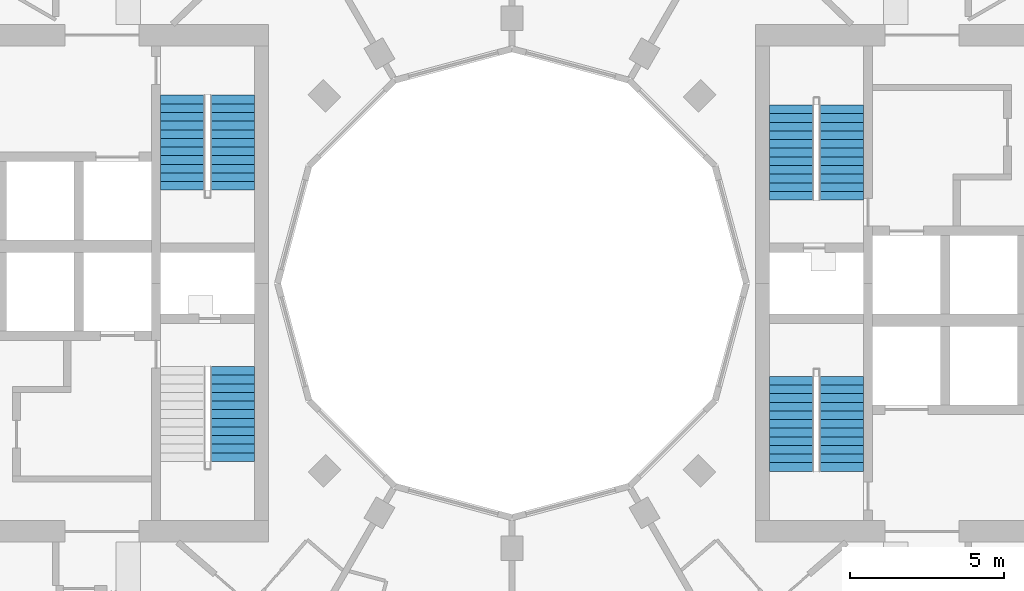
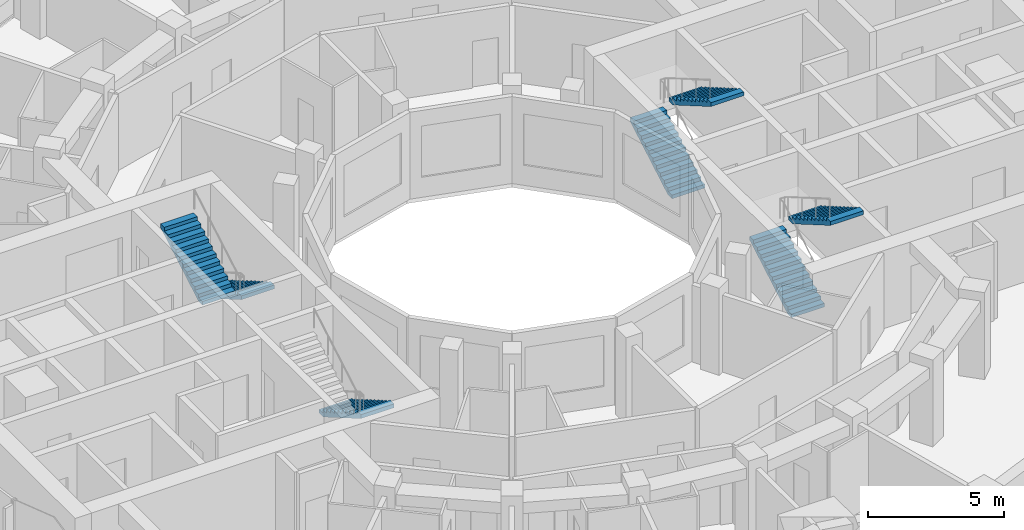
# One storey, part 13 of 15: 7 stair flights, 4 elements without a shape of their own.
"""IFC4 building model written with IfcOpenShell, lengths in metres."""

from ifc_helpers import new_model, si_unit, direction, frame, origin, place, context, subcontext, project, spatial, polyline, outline, extrude, material, layer, layer_set, type_object, element, aggregate, save


model = new_model("IFC4")

# Units and contexts
model_context = context("Model", 3, precision=1e-05, world=origin(), true_north=direction((0.0, 1.0)))
body_context = subcontext(model_context, "Body", "Model", "MODEL_VIEW")
ifc_project = project(units=[si_unit("LENGTHUNIT", "METRE"), si_unit("AREAUNIT", "SQUARE_METRE"), si_unit("VOLUMEUNIT", "CUBIC_METRE"), si_unit("PLANEANGLEUNIT", "RADIAN"), si_unit("MASSUNIT", "GRAM", prefix="KILO")], contexts=[model_context])

# Site, building, storey
site_placement = place(None, origin())
site = spatial("IfcSite", under=ifc_project, at=site_placement, CompositionType="ELEMENT")
building_placement = place(site_placement, origin())
building = spatial("IfcBuilding", under=site, at=building_placement, Name="Torre Brocal", CompositionType="ELEMENT")
storey_placement = place(building_placement, frame((0.0, 0.0, 145.800048828125)))
storey = spatial("IfcBuildingStorey", under=building, at=storey_placement, Name="L34", CompositionType="ELEMENT", Elevation=145.800048828125)

# Stair, stair flights
ifc_material_1 = material(Name="Concrete C50", Category="concrete")
stair_type = type_object("IfcStairType", Name="EXIT STAIR", PredefinedType="HALF_TURN_STAIR", material=ifc_material_1)
stair_1_placement = place(storey_placement, origin())
stair_1 = element("IfcStair", 1, at=stair_1_placement, inside=storey, type_object=stair_type, Name="EXIT STAIR ST1", PredefinedType="HALF_TURN_STAIR")
ifc_material_2 = material(Name="Concrete C50", Category="concrete")
ifc_layer = layer(ifc_material_2, 0.14990234375)
ifc_layer_set = layer_set([ifc_layer], Name="Concrete C50")
stair_flight_type = type_object("IfcStairFlightType", Name="STAIR FLIGHT", PredefinedType="STRAIGHT", material=ifc_layer_set)
stair_flight_1_placement = place(storey_placement, frame((89.050048828125, 77.699951171875, 0.0), z_axis=(0.0, 0.0, 1.0), x_axis=(0.0, 1.0, 0.0)))
stair_flight_1 = element("IfcStairFlight", 2, at=stair_flight_1_placement, type_object=stair_flight_type, Name="ST1 flight 1", NumberOfRisers=12, NumberOfTreads=11, PredefinedType="STRAIGHT", RiserHeight=0.1625, TreadLength=0.28, context=body_context, shape_type="SweptSolid", body=[
    extrude(outline(polyline([(0.0, 0.0), (0.0, 0.16259765625), (0.280029296875, 0.16259765625), (0.280029296875, 0.324951171875), (0.56005859375, 0.324951171875), (0.56005859375, 0.487548828125), (0.840087890625, 0.487548828125), (0.840087890625, 0.64990234375), (1.1201171875, 0.64990234375), (1.1201171875, 0.8125), (1.39990234375, 0.8125), (1.39990234375, 0.97509765625), (1.679931640625, 0.97509765625), (1.679931640625, 1.137451171875), (1.9599609375, 1.137451171875), (1.9599609375, 1.300048828125), (2.239990234375, 1.300048828125), (2.239990234375, 1.46240234375), (2.52001953125, 1.46240234375), (2.52001953125, 1.625), (2.800048828125, 1.625), (2.800048828125, 1.78759765625), (3.080078125, 1.78759765625), (3.080078125, 1.949951171875), (3.080078125, 1.6142578125), (0.298583984375, 0.0), (0.0, 0.0)])), frame((0.0, 0.699951171875, 0.0), z_axis=(0.0, -1.0, 0.0), x_axis=(1.0, 0.0, 0.0)), (0.0, 0.0, 1.0), 1.39990234375),
])
stair_flight_2_placement = place(storey_placement, frame((90.699951171875, 80.780029296875, 1.949951171875), z_axis=(0.0, 0.0, 1.0), x_axis=(0.0, -1.0, 0.0)))
stair_flight_2 = element("IfcStairFlight", 3, at=stair_flight_2_placement, type_object=stair_flight_type, Name="ST1 flight 2", NumberOfRisers=12, NumberOfTreads=11, PredefinedType="STRAIGHT", RiserHeight=0.1625, TreadLength=0.28, context=body_context, shape_type="SweptSolid", body=[
    extrude(outline(polyline([(0.0, 0.0), (0.0, 0.16259765625), (0.280029296875, 0.16259765625), (0.280029296875, 0.324951171875), (0.56005859375, 0.324951171875), (0.56005859375, 0.487548828125), (0.840087890625, 0.487548828125), (0.840087890625, 0.64990234375), (1.1201171875, 0.64990234375), (1.1201171875, 0.8125), (1.39990234375, 0.8125), (1.39990234375, 0.97509765625), (1.679931640625, 0.97509765625), (1.679931640625, 1.137451171875), (1.9599609375, 1.137451171875), (1.9599609375, 1.300048828125), (2.239990234375, 1.300048828125), (2.239990234375, 1.46240234375), (2.52001953125, 1.46240234375), (2.52001953125, 1.625), (2.800048828125, 1.625), (2.800048828125, 1.78759765625), (3.080078125, 1.78759765625), (3.080078125, 1.949951171875), (3.080078125, 1.6142578125), (0.298583984375, 0.0), (0.0, 0.0)])), frame((0.0, 0.699951171875, 0.0), z_axis=(0.0, -1.0, 0.0), x_axis=(1.0, 0.0, 0.0)), (0.0, 0.0, 1.0), 1.39990234375),
])
aggregate(stair_1, [stair_flight_1, stair_flight_2])

stair_2_placement = place(storey_placement, origin())
stair_2 = element("IfcStair", 4, at=stair_2_placement, inside=storey, type_object=stair_type, Name="EXIT STAIR ST2", PredefinedType="HALF_TURN_STAIR")
stair_flight_3_placement = place(storey_placement, frame((89.050048828125, 68.89990234375, 0.0), z_axis=(0.0, 0.0, 1.0), x_axis=(0.0, 1.0, 0.0)))
stair_flight_3 = element("IfcStairFlight", 5, at=stair_flight_3_placement, type_object=stair_flight_type, Name="ST2 flight 1", NumberOfRisers=12, NumberOfTreads=11, PredefinedType="STRAIGHT", RiserHeight=0.1625, TreadLength=0.28, context=body_context, shape_type="SweptSolid", body=[
    extrude(outline(polyline([(0.0, 0.0), (0.0, 0.16259765625), (0.280029296875, 0.16259765625), (0.280029296875, 0.324951171875), (0.56005859375, 0.324951171875), (0.56005859375, 0.487548828125), (0.840087890625, 0.487548828125), (0.840087890625, 0.64990234375), (1.1201171875, 0.64990234375), (1.1201171875, 0.8125), (1.39990234375, 0.8125), (1.39990234375, 0.97509765625), (1.679931640625, 0.97509765625), (1.679931640625, 1.137451171875), (1.9599609375, 1.137451171875), (1.9599609375, 1.300048828125), (2.239990234375, 1.300048828125), (2.239990234375, 1.46240234375), (2.52001953125, 1.46240234375), (2.52001953125, 1.625), (2.800048828125, 1.625), (2.800048828125, 1.78759765625), (3.080078125, 1.78759765625), (3.080078125, 1.949951171875), (3.080078125, 1.6142578125), (0.298583984375, 0.0), (0.0, 0.0)])), frame((0.0, 0.699951171875, 0.0), z_axis=(0.0, -1.0, 0.0), x_axis=(1.0, 0.0, 0.0)), (0.0, 0.0, 1.0), 1.39990234375),
])
stair_flight_4_placement = place(storey_placement, frame((90.699951171875, 71.97998046875, 1.949951171875), z_axis=(0.0, 0.0, 1.0), x_axis=(0.0, -1.0, 0.0)))
stair_flight_4 = element("IfcStairFlight", 6, at=stair_flight_4_placement, type_object=stair_flight_type, Name="ST2 flight 2", NumberOfRisers=12, NumberOfTreads=11, PredefinedType="STRAIGHT", RiserHeight=0.1625, TreadLength=0.28, context=body_context, shape_type="SweptSolid", body=[
    extrude(outline(polyline([(0.0, 0.0), (0.0, 0.16259765625), (0.280029296875, 0.16259765625), (0.280029296875, 0.324951171875), (0.56005859375, 0.324951171875), (0.56005859375, 0.487548828125), (0.840087890625, 0.487548828125), (0.840087890625, 0.64990234375), (1.1201171875, 0.64990234375), (1.1201171875, 0.8125), (1.39990234375, 0.8125), (1.39990234375, 0.97509765625), (1.679931640625, 0.97509765625), (1.679931640625, 1.137451171875), (1.9599609375, 1.137451171875), (1.9599609375, 1.300048828125), (2.239990234375, 1.300048828125), (2.239990234375, 1.46240234375), (2.52001953125, 1.46240234375), (2.52001953125, 1.625), (2.800048828125, 1.625), (2.800048828125, 1.78759765625), (3.080078125, 1.78759765625), (3.080078125, 1.949951171875), (3.080078125, 1.6142578125), (0.298583984375, 0.0), (0.0, 0.0)])), frame((0.0, 0.699951171875, 0.0), z_axis=(0.0, -1.0, 0.0), x_axis=(1.0, 0.0, 0.0)), (0.0, 0.0, 1.0), 1.39990234375),
])
aggregate(stair_2, [stair_flight_3, stair_flight_4])

# Stair, stair flight
stair_3_placement = place(storey_placement, origin())
stair_3 = element("IfcStair", 7, at=stair_3_placement, inside=storey, type_object=stair_type, Name="EXIT STAIR ST3", PredefinedType="HALF_TURN_STAIR")
stair_flight_5_placement = place(storey_placement, frame((70.949951171875, 72.300048828125, 0.0), z_axis=(0.0, 0.0, 1.0), x_axis=(0.0, -1.0, 0.0)))
stair_flight_5 = element("IfcStairFlight", 8, at=stair_flight_5_placement, type_object=stair_flight_type, Name="ST3 flight 1", NumberOfRisers=12, NumberOfTreads=11, PredefinedType="STRAIGHT", RiserHeight=0.1625, TreadLength=0.28, context=body_context, shape_type="SweptSolid", body=[
    extrude(outline(polyline([(0.0, 0.0), (0.0, 0.16259765625), (0.280029296875, 0.16259765625), (0.280029296875, 0.324951171875), (0.56005859375, 0.324951171875), (0.56005859375, 0.487548828125), (0.840087890625, 0.487548828125), (0.840087890625, 0.64990234375), (1.1201171875, 0.64990234375), (1.1201171875, 0.8125), (1.39990234375, 0.8125), (1.39990234375, 0.97509765625), (1.679931640625, 0.97509765625), (1.679931640625, 1.137451171875), (1.9599609375, 1.137451171875), (1.9599609375, 1.300048828125), (2.239990234375, 1.300048828125), (2.239990234375, 1.46240234375), (2.52001953125, 1.46240234375), (2.52001953125, 1.625), (2.800048828125, 1.625), (2.800048828125, 1.78759765625), (3.080078125, 1.78759765625), (3.080078125, 1.949951171875), (3.080078125, 1.6142578125), (0.298583984375, 0.0), (0.0, 0.0)])), frame((0.0, 0.699951171875, 0.0), z_axis=(0.0, -1.0, 0.0), x_axis=(1.0, 0.0, 0.0)), (0.0, 0.0, 1.0), 1.39990234375),
])
aggregate(stair_3, [stair_flight_5])

# Stair, stair flights
stair_4_placement = place(storey_placement, origin())
stair_4 = element("IfcStair", 9, at=stair_4_placement, inside=storey, type_object=stair_type, Name="EXIT STAIR ST4", PredefinedType="HALF_TURN_STAIR")
stair_flight_6_placement = place(storey_placement, frame((70.949951171875, 81.10009765625, 0.0), z_axis=(0.0, 0.0, 1.0), x_axis=(0.0, -1.0, 0.0)))
stair_flight_6 = element("IfcStairFlight", 10, at=stair_flight_6_placement, type_object=stair_flight_type, Name="ST4 flight 1", NumberOfRisers=12, NumberOfTreads=11, PredefinedType="STRAIGHT", RiserHeight=0.1625, TreadLength=0.28, context=body_context, shape_type="SweptSolid", body=[
    extrude(outline(polyline([(0.0, 0.0), (0.0, 0.16259765625), (0.280029296875, 0.16259765625), (0.280029296875, 0.324951171875), (0.56005859375, 0.324951171875), (0.56005859375, 0.487548828125), (0.840087890625, 0.487548828125), (0.840087890625, 0.64990234375), (1.1201171875, 0.64990234375), (1.1201171875, 0.8125), (1.39990234375, 0.8125), (1.39990234375, 0.97509765625), (1.679931640625, 0.97509765625), (1.679931640625, 1.137451171875), (1.9599609375, 1.137451171875), (1.9599609375, 1.300048828125), (2.239990234375, 1.300048828125), (2.239990234375, 1.46240234375), (2.52001953125, 1.46240234375), (2.52001953125, 1.625), (2.800048828125, 1.625), (2.800048828125, 1.78759765625), (3.080078125, 1.78759765625), (3.080078125, 1.949951171875), (3.080078125, 1.6142578125), (0.298583984375, 0.0), (0.0, 0.0)])), frame((0.0, 0.699951171875, 0.0), z_axis=(0.0, -1.0, 0.0), x_axis=(1.0, 0.0, 0.0)), (0.0, 0.0, 1.0), 1.39990234375),
])
stair_flight_7_placement = place(storey_placement, frame((69.300048828125, 78.02001953125, 1.949951171875), z_axis=(0.0, 0.0, 1.0), x_axis=(0.0, 1.0, 0.0)))
stair_flight_7 = element("IfcStairFlight", 11, at=stair_flight_7_placement, type_object=stair_flight_type, Name="ST4 flight 2", NumberOfRisers=12, NumberOfTreads=11, PredefinedType="STRAIGHT", RiserHeight=0.1625, TreadLength=0.28, context=body_context, shape_type="SweptSolid", body=[
    extrude(outline(polyline([(0.0, 0.0), (0.0, 0.16259765625), (0.280029296875, 0.16259765625), (0.280029296875, 0.324951171875), (0.56005859375, 0.324951171875), (0.56005859375, 0.487548828125), (0.840087890625, 0.487548828125), (0.840087890625, 0.64990234375), (1.1201171875, 0.64990234375), (1.1201171875, 0.8125), (1.39990234375, 0.8125), (1.39990234375, 0.97509765625), (1.679931640625, 0.97509765625), (1.679931640625, 1.137451171875), (1.9599609375, 1.137451171875), (1.9599609375, 1.300048828125), (2.239990234375, 1.300048828125), (2.239990234375, 1.46240234375), (2.52001953125, 1.46240234375), (2.52001953125, 1.625), (2.800048828125, 1.625), (2.800048828125, 1.78759765625), (3.080078125, 1.78759765625), (3.080078125, 1.949951171875), (3.080078125, 1.6142578125), (0.298583984375, 0.0), (0.0, 0.0)])), frame((0.0, 0.699951171875, 0.0), z_axis=(0.0, -1.0, 0.0), x_axis=(1.0, 0.0, 0.0)), (0.0, 0.0, 1.0), 1.39990234375),
])
aggregate(stair_4, [stair_flight_6, stair_flight_7])

save(model, "model.ifc")
